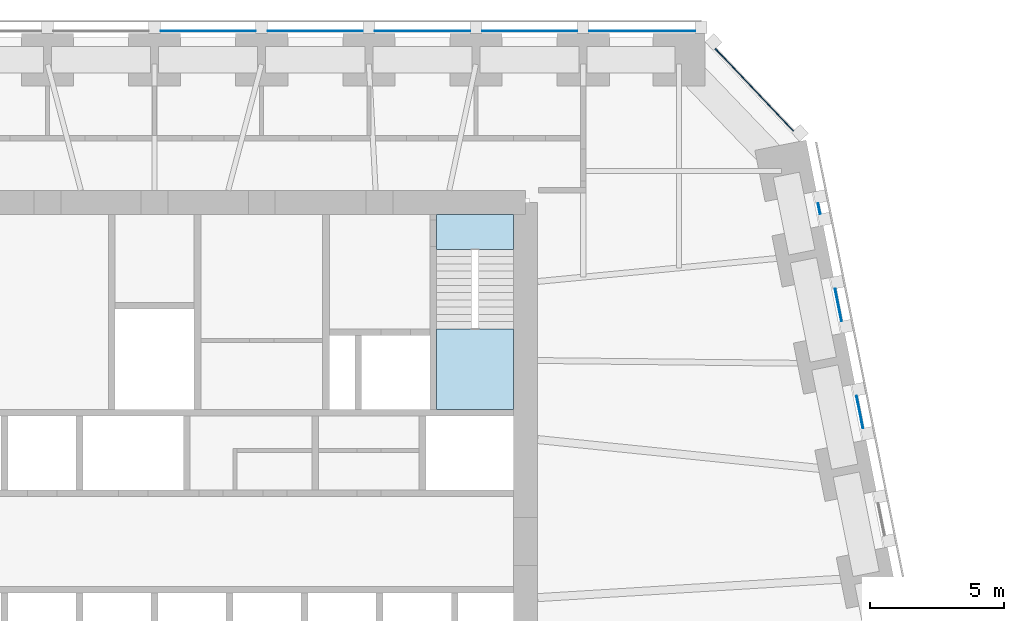
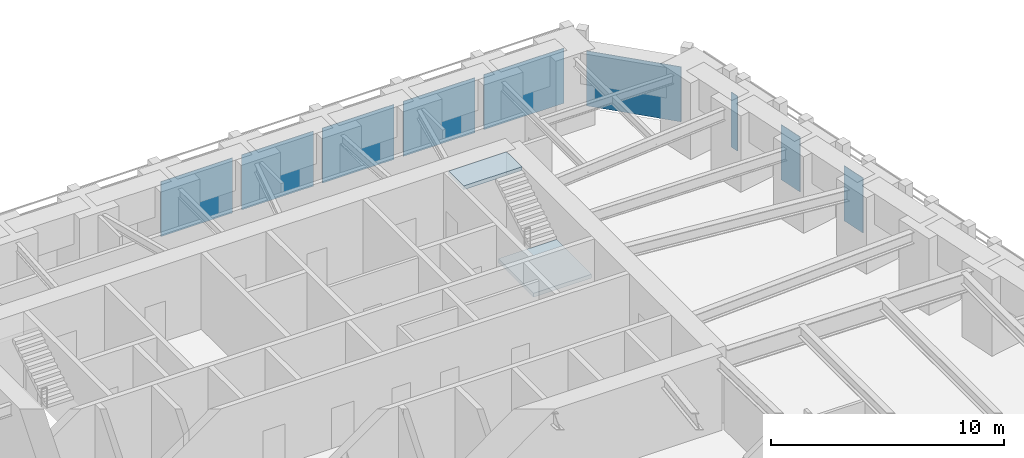
# One storey, part 11 of 16: 9 plates, 2 slabs, 6 elements without a shape of their own.
"""IFC4 building model written with IfcOpenShell, lengths in metres."""

from ifc_helpers import new_model, si_unit, direction, frame, origin, origin_2d, place, context, subcontext, project, spatial, polyline, rectangle, outline, extrude, material, layer, layer_set, type_object, element, aggregate, save


model = new_model("IFC4")

# Units and contexts
model_context = context("Model", 3, precision=1e-05, world=origin(), true_north=direction((0.0, 1.0)))
body_context = subcontext(model_context, "Body", "Model", "MODEL_VIEW")
ifc_project = project(units=[si_unit("LENGTHUNIT", "METRE"), si_unit("AREAUNIT", "SQUARE_METRE"), si_unit("VOLUMEUNIT", "CUBIC_METRE"), si_unit("PLANEANGLEUNIT", "RADIAN"), si_unit("MASSUNIT", "GRAM", prefix="KILO")], contexts=[model_context])

# Site, building, storey
site_placement = place(None, origin())
site = spatial("IfcSite", under=ifc_project, at=site_placement, CompositionType="ELEMENT")
building_placement = place(site_placement, origin())
building = spatial("IfcBuilding", under=site, at=building_placement, Name="Isbrekke Arena Tower", CompositionType="ELEMENT")
storey_placement = place(building_placement, frame((0.0, 0.0, 32.0)))
storey = spatial("IfcBuildingStorey", under=building, at=storey_placement, Name="L05", CompositionType="ELEMENT", Elevation=32.0)

# Curtain wall, plate
ifc_material_1 = material(Name="Glazed aluminium curtain wall", Category="aluminium")
curtain_wall_type = type_object("IfcCurtainWallType", Name="CWL TOWER CURTAIN WALL LOW ZONE", PredefinedType="USERDEFINED", material=ifc_material_1)
curtain_wall_1_placement = place(storey_placement, origin())
curtain_wall_1 = element("IfcCurtainWall", 1, at=curtain_wall_1_placement, inside=storey, type_object=curtain_wall_type, Name="CWL curtain wall L05-E15", ObjectType="TOWER CURTAIN WALL LOW ZONE", PredefinedType="USERDEFINED")
ifc_material_2 = material(Name="Triple-glazed clear glass unit", Category="glass")
ifc_layer_1 = layer(ifc_material_2, 0.031982421875)
ifc_layer_set_1 = layer_set([ifc_layer_1], Name="CWL-P VISION PANEL")
plate_type = type_object("IfcPlateType", Name="CWL-P VISION PANEL", PredefinedType="CURTAIN_PANEL", material=ifc_layer_set_1)
plate_1_placement = place(storey_placement, frame((26.322509765625, 16.0244140625, 0.02001953125), z_axis=(0.0, 0.0, 1.0), x_axis=(-0.196116135138, 0.980580675691, 0.0)))
plate_1 = element("IfcPlate", 2, at=plate_1_placement, type_object=plate_type, Name="CWL-P panel 1", PredefinedType="CURTAIN_PANEL", context=body_context, shape_type="SweptSolid", body=[
    extrude(rectangle(XDim=1.229248046875, YDim=0.031982421875, at=origin_2d()), origin(), (0.0, 0.0, 1.0), 2.8798828125),
])
aggregate(curtain_wall_1, [plate_1])

curtain_wall_2_placement = place(storey_placement, origin())
curtain_wall_2 = element("IfcCurtainWall", 3, at=curtain_wall_2_placement, inside=storey, type_object=curtain_wall_type, Name="CWL curtain wall L05-E17", ObjectType="TOWER CURTAIN WALL LOW ZONE", PredefinedType="USERDEFINED")
plate_2_placement = place(storey_placement, frame((25.5224609375, 20.0244140625, 0.02001953125), z_axis=(0.0, 0.0, 1.0), x_axis=(-0.196116135138, 0.980580675691, 0.0)))
plate_2 = element("IfcPlate", 4, at=plate_2_placement, type_object=plate_type, Name="CWL-P panel 1", PredefinedType="CURTAIN_PANEL", context=body_context, shape_type="SweptSolid", body=[
    extrude(rectangle(XDim=1.229248046875, YDim=0.031982421875, at=origin_2d()), origin(), (0.0, 0.0, 1.0), 2.8798828125),
])
aggregate(curtain_wall_2, [plate_2])

curtain_wall_3_placement = place(storey_placement, origin())
curtain_wall_3 = element("IfcCurtainWall", 5, at=curtain_wall_3_placement, inside=storey, type_object=curtain_wall_type, Name="CWL curtain wall L05-E19", ObjectType="TOWER CURTAIN WALL LOW ZONE", PredefinedType="USERDEFINED")
plate_3_placement = place(storey_placement, frame((24.80322265625, 23.62109375, 0.02001953125), z_axis=(0.0, 0.0, 1.0), x_axis=(-0.196116135138, 0.980580675691, 0.0)))
plate_3 = element("IfcPlate", 6, at=plate_3_placement, type_object=plate_type, Name="CWL-P panel 1", PredefinedType="CURTAIN_PANEL", context=body_context, shape_type="SweptSolid", body=[
    extrude(rectangle(XDim=0.40625, YDim=0.031982421875, at=origin_2d()), origin(), (0.0, 0.0, 1.0), 2.8798828125),
])
aggregate(curtain_wall_3, [plate_3])

curtain_wall_4_placement = place(storey_placement, origin())
curtain_wall_4 = element("IfcCurtainWall", 7, at=curtain_wall_4_placement, inside=storey, type_object=curtain_wall_type, Name="CWL curtain wall L05-EN", ObjectType="TOWER CURTAIN WALL LOW ZONE", PredefinedType="USERDEFINED")
plate_4_placement = place(storey_placement, frame((22.386474609375, 28.05419921875, 0.02001953125), z_axis=(0.0, 0.0, 1.0), x_axis=(-0.68874946192, 0.72499943359, 0.0)))
plate_4 = element("IfcPlate", 8, at=plate_4_placement, type_object=plate_type, Name="CWL-P panel 1", PredefinedType="CURTAIN_PANEL", context=body_context, shape_type="SweptSolid", body=[
    extrude(rectangle(XDim=4.22900390625, YDim=0.031982421875, at=origin_2d()), origin(), (0.0, 0.0, 1.0), 2.8798828125),
])
aggregate(curtain_wall_4, [plate_4])

# Curtain wall, plates
curtain_wall_5_placement = place(storey_placement, origin())
curtain_wall_5 = element("IfcCurtainWall", 9, at=curtain_wall_5_placement, inside=storey, type_object=curtain_wall_type, Name="CWL curtain wall L05-N", ObjectType="TOWER CURTAIN WALL LOW ZONE", PredefinedType="USERDEFINED")
plate_5_placement = place(storey_placement, frame((18.199951171875, 30.25, 0.02001953125), z_axis=(0.0, 0.0, 1.0), x_axis=(-1.0, 0.0, 0.0)))
plate_5 = element("IfcPlate", 10, at=plate_5_placement, type_object=plate_type, Name="CWL-P panel 1", PredefinedType="CURTAIN_PANEL", context=body_context, shape_type="SweptSolid", body=[
    extrude(rectangle(XDim=3.949951171875, YDim=0.031982421875, at=origin_2d()), origin(), (0.0, 0.0, 1.0), 2.8798828125),
])
plate_6_placement = place(storey_placement, frame((14.0, 30.25, 0.02001953125), z_axis=(0.0, 0.0, 1.0), x_axis=(-1.0, 0.0, 0.0)))
plate_6 = element("IfcPlate", 11, at=plate_6_placement, type_object=plate_type, Name="CWL-P panel 2", PredefinedType="CURTAIN_PANEL", context=body_context, shape_type="SweptSolid", body=[
    extrude(rectangle(XDim=3.550048828125, YDim=0.031982421875, at=origin_2d()), origin(), (0.0, 0.0, 1.0), 2.8798828125),
])
plate_7_placement = place(storey_placement, frame((10.0, 30.25, 0.02001953125), z_axis=(0.0, 0.0, 1.0), x_axis=(-1.0, 0.0, 0.0)))
plate_7 = element("IfcPlate", 12, at=plate_7_placement, type_object=plate_type, Name="CWL-P panel 3", PredefinedType="CURTAIN_PANEL", context=body_context, shape_type="SweptSolid", body=[
    extrude(rectangle(XDim=3.550048828125, YDim=0.031982421875, at=origin_2d()), origin(), (0.0, 0.0, 1.0), 2.8798828125),
])
plate_8_placement = place(storey_placement, frame((6.0, 30.25, 0.02001953125), z_axis=(0.0, 0.0, 1.0), x_axis=(-1.0, 0.0, 0.0)))
plate_8 = element("IfcPlate", 13, at=plate_8_placement, type_object=plate_type, Name="CWL-P panel 4", PredefinedType="CURTAIN_PANEL", context=body_context, shape_type="SweptSolid", body=[
    extrude(rectangle(XDim=3.550048828125, YDim=0.031982421875, at=origin_2d()), origin(), (0.0, 0.0, 1.0), 2.8798828125),
])
plate_9_placement = place(storey_placement, frame((2.0, 30.25, 0.02001953125), z_axis=(0.0, 0.0, 1.0), x_axis=(-1.0, 0.0, 0.0)))
plate_9 = element("IfcPlate", 14, at=plate_9_placement, type_object=plate_type, Name="CWL-P panel 5", PredefinedType="CURTAIN_PANEL", context=body_context, shape_type="SweptSolid", body=[
    extrude(rectangle(XDim=3.550048828125, YDim=0.031982421875, at=origin_2d()), origin(), (0.0, 0.0, 1.0), 2.8798828125),
])
aggregate(curtain_wall_5, [plate_5, plate_6, plate_7, plate_8, plate_9])

# Stair, slabs
ifc_material_3 = material(Name="Concrete B45 (C45/55) precast", Category="concrete")
stair_type = type_object("IfcStairType", Name="ST40 STAIR 1300 WIDE, 24 RISERS 167", PredefinedType="HALF_TURN_STAIR", material=ifc_material_3)
stair_placement = place(storey_placement, origin())
stair = element("IfcStair", 15, at=stair_placement, inside=storey, type_object=stair_type, Name="ST2 stair L05", PredefinedType="HALF_TURN_STAIR")
ifc_material_4 = material(Name="Concrete B35 (C35/45)", Category="concrete")
ifc_layer_2 = layer(ifc_material_4, 0.199951171875)
ifc_layer_set_2 = layer_set([ifc_layer_2], Name="SL1 STAIR LANDING 200")
slab_type = type_object("IfcSlabType", Name="SL1 STAIR LANDING 200", PredefinedType="LANDING", material=ifc_layer_set_2)
slab_1_placement = place(storey_placement, frame((0.0, 0.0, 1.800048828125)))
slab_1 = element("IfcSlab", 16, at=slab_1_placement, type_object=slab_type, Name="ST2 landing 1", PredefinedType="LANDING", context=body_context, shape_type="SweptSolid", body=[
    extrude(outline(polyline([(10.52490234375, 16.125), (13.39990234375, 16.125), (13.39990234375, 19.1298828125), (10.52490234375, 19.1298828125), (10.52490234375, 16.125)])), origin(), (0.0, 0.0, 1.0), 0.199951171875),
])
slab_2_placement = place(storey_placement, frame((0.0, 0.0, 3.800048828125)))
slab_2 = element("IfcSlab", 17, at=slab_2_placement, type_object=slab_type, Name="ST2 landing 2", PredefinedType="LANDING", context=body_context, shape_type="SweptSolid", body=[
    extrude(outline(polyline([(10.52490234375, 22.10009765625), (13.39990234375, 22.10009765625), (13.39990234375, 23.39990234375), (10.52490234375, 23.39990234375), (10.52490234375, 22.10009765625)])), origin(), (0.0, 0.0, 1.0), 0.199951171875),
])
aggregate(stair, [slab_1, slab_2])

save(model, "model.ifc")
